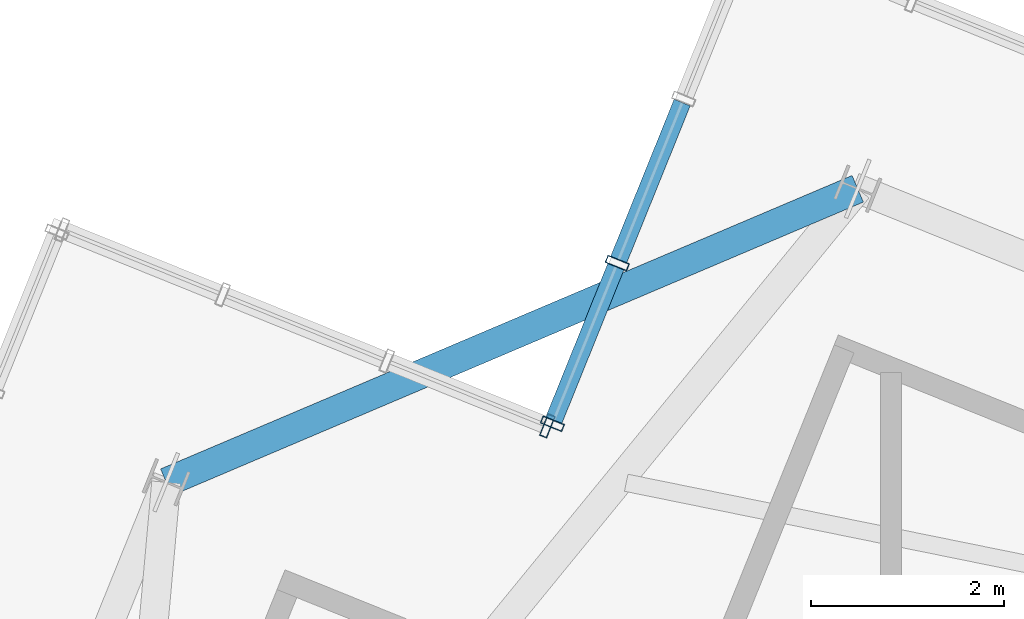
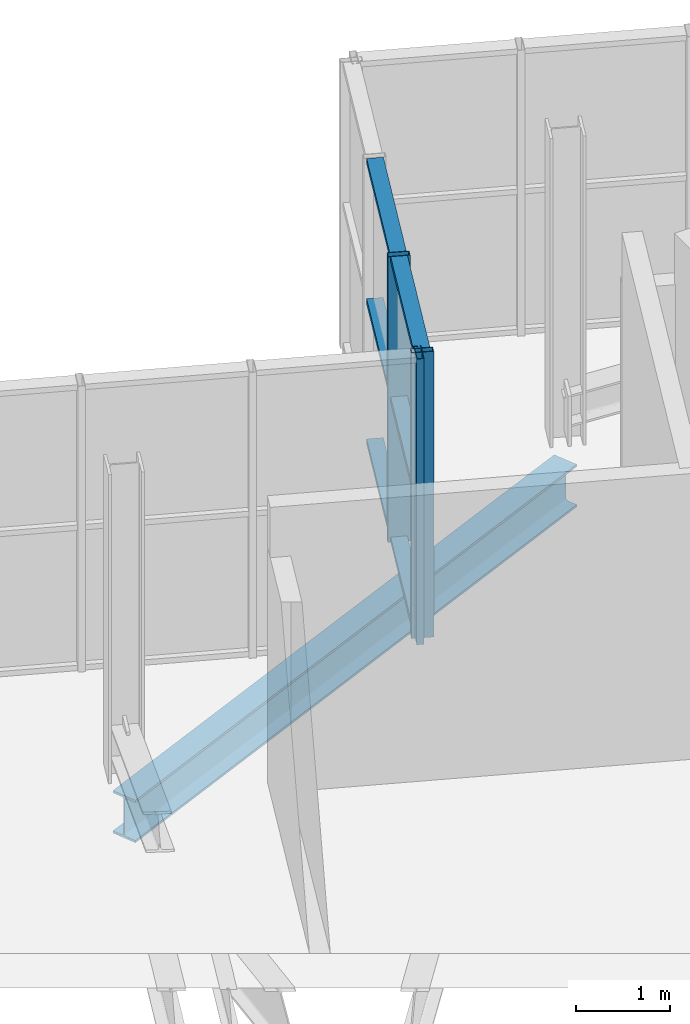
# One storey, part 14 of 26: 9 members, 1 beam, 2 elements without a shape of their own.
"""IFC4 building model written with IfcOpenShell, lengths in metres."""

from ifc_helpers import new_model, si_unit, direction, frame, origin, origin_2d, place, context, subcontext, project, spatial, hollow_rectangle, i_section, extrude, source, transform, mapped, material, layer, layer_set, material_profile, profile_set, type_object, element, aggregate, save


model = new_model("IFC4")

# Units and contexts
model_context = context("Model", 3, precision=1e-05, world=origin(), true_north=direction((0.0, 1.0)))
body_context = subcontext(model_context, "Body", "Model", "MODEL_VIEW")
ifc_project = project(units=[si_unit("LENGTHUNIT", "METRE"), si_unit("AREAUNIT", "SQUARE_METRE"), si_unit("VOLUMEUNIT", "CUBIC_METRE"), si_unit("PLANEANGLEUNIT", "RADIAN"), si_unit("MASSUNIT", "GRAM", prefix="KILO"), si_unit("THERMODYNAMICTEMPERATUREUNIT", "KELVIN")], contexts=[model_context])

# Site, building, storey
site_placement = place(None, origin())
site = spatial("IfcSite", under=ifc_project, at=site_placement, CompositionType="ELEMENT")
building_placement = place(site_placement, origin())
building = spatial("IfcBuilding", under=site, at=building_placement, Name="Kosmvard Interchange Tower", CompositionType="ELEMENT")
storey_placement = place(building_placement, frame((0.0, 0.0, 329.60009765625)))
storey = spatial("IfcBuildingStorey", under=building, at=storey_placement, Name="L81", CompositionType="ELEMENT", Elevation=329.60009765625)

# Beam
ifc_material_1 = material(Name="Steel S355", Category="steel")
ifc_material_profile_1 = material_profile(ifc_material_1, i_section(OverallWidth=0.300048828125, OverallDepth=0.550048828125, WebThickness=0.014892578125, FlangeThickness=0.029052734375, FilletRadius=0.027099609375, at=origin_2d()), Name="HEB 550")
ifc_profile_set_1 = profile_set([ifc_material_profile_1], Name="Steel S355")
beam_type = type_object("IfcBeamType", Name="Crown Ring Cap Girder HEB 550 S355", PredefinedType="BEAM", material=ifc_profile_set_1)
shared_shape_1 = source(origin(), body_context, "Body", "SweptSolid", [
    extrude(i_section(OverallWidth=0.300048828125, OverallDepth=0.550048828125, WebThickness=0.014892578125, FlangeThickness=0.029052734375, FilletRadius=0.027099609375, at=origin_2d()), origin(), (0.0, 0.0, 1.0), 7.778076171875),
])
beam_placement = place(storey_placement, frame((-5.34423828125, 22.54345703125, -0.5751953125), z_axis=(-0.92051132134, -0.39071589075, 0.0), x_axis=(0.39071589075, -0.92051132134, 0.0)))
element("IfcBeam", 1, at=beam_placement, inside=storey, type_object=beam_type, Name="BM-L81-PR06", PredefinedType="BEAM", context=body_context, shape_type="MappedRepresentation", body=[
    mapped(shared_shape_1, transform((0.0, 0.0, 0.0), scale=1.0)),
])

# Curtain wall, members
ifc_material_2 = material(Name="Architectural anodised aluminium", Category="aluminium")
ifc_layer = layer(ifc_material_2, 0.25, Name="Architectural anodised aluminium")
ifc_layer_set = layer_set([ifc_layer], Name="Architectural anodised aluminium")
curtain_wall_type = type_object("IfcCurtainWallType", Name="CW-6 Illuminated Crown Lantern Curtain Wall", PredefinedType="NOTDEFINED", material=ifc_layer_set)
curtain_wall_1_placement = place(storey_placement, origin())
curtain_wall_1 = element("IfcCurtainWall", 2, at=curtain_wall_1_placement, inside=storey, type_object=curtain_wall_type, Name="L81 Crown Lantern Glazing Face 05", PredefinedType="NOTDEFINED")
ifc_material_profile_2 = material_profile(ifc_material_2, hollow_rectangle(XDim=0.239990234375, YDim=0.080078125, WallThickness=0.006103515625, at=origin_2d()), Name="CWM 240x80x6")
ifc_profile_set_2 = profile_set([ifc_material_profile_2], Name="Architectural anodised aluminium")
member_type_1 = type_object("IfcMemberType", Name="Lantern & Observation CW Mullion 240x80 Aluminium", PredefinedType="MULLION", material=ifc_profile_set_2)
shared_shape_2 = source(origin(), body_context, "Body", "SweptSolid", [
    extrude(hollow_rectangle(XDim=0.239990234375, YDim=0.080078125, WallThickness=0.006103515625, at=origin_2d()), origin(), (0.0, 0.0, 1.0), 3.699951171875),
])
member_1_placement = place(storey_placement, frame((-7.833984375, 21.7734375, 0.0), z_axis=(0.0, 0.0, 1.0), x_axis=(0.92718386612, -0.374606564822, 0.0)))
member_1 = element("IfcMember", 3, at=member_1_placement, type_object=member_type_1, Name="CW-6 mullion 3", PredefinedType="MULLION", context=body_context, shape_type="MappedRepresentation", body=[
    mapped(shared_shape_2, transform((0.0, 0.0, 0.0), scale=1.0)),
])
member_2_placement = place(storey_placement, frame((-8.505859375, 20.110595703125, 0.0), z_axis=(0.0, 0.0, 1.0), x_axis=(0.92718386612, -0.374606564822, 0.0)))
member_2 = element("IfcMember", 4, at=member_2_placement, type_object=member_type_1, Name="CW-6 mullion 4", PredefinedType="MULLION", context=body_context, shape_type="MappedRepresentation", body=[
    mapped(shared_shape_2, transform((0.0, 0.0, 0.0), scale=1.0)),
])

# Curtain wall, member
curtain_wall_2_placement = place(storey_placement, origin())
curtain_wall_2 = element("IfcCurtainWall", 5, at=curtain_wall_2_placement, inside=storey, type_object=curtain_wall_type, Name="L81 Crown Lantern Glazing Face 06", PredefinedType="NOTDEFINED")
member_3_placement = place(storey_placement, frame((-8.557861328125, 20.088623046875, 0.0), z_axis=(0.0, 0.0, 1.0), x_axis=(-0.374606501678, -0.927183891631, 0.0)))
member_3 = element("IfcMember", 6, at=member_3_placement, type_object=member_type_1, Name="CW-6 mullion 1", PredefinedType="MULLION", context=body_context, shape_type="MappedRepresentation", body=[
    mapped(shared_shape_2, transform((0.0, 0.0, 0.0), scale=1.0)),
])
aggregate(curtain_wall_2, [member_3])

# Member
ifc_material_profile_3 = material_profile(ifc_material_2, hollow_rectangle(XDim=0.179931640625, YDim=0.070068359375, WallThickness=0.0048828125, at=origin_2d()), Name="CWT 180x70x5")
ifc_profile_set_3 = profile_set([ifc_material_profile_3], Name="Architectural anodised aluminium")
member_type_2 = type_object("IfcMemberType", Name="Heavy Lantern CW Transom 180x70 Aluminium", PredefinedType="USERDEFINED", material=ifc_profile_set_3)
shared_shape_3 = source(origin(), body_context, "Body", "SweptSolid", [
    extrude(hollow_rectangle(XDim=0.179931640625, YDim=0.070068359375, WallThickness=0.0048828125, at=origin_2d()), origin(), (0.0, 0.0, 1.0), 1.71337890625),
])
member_4_placement = place(storey_placement, frame((-7.848876953125, 21.736328125, 0.034912109375), z_axis=(-0.374606758599, -0.927183787829, 0.0), x_axis=(0.927183787829, -0.374606758599, 0.0)))
member_4 = element("IfcMember", 7, at=member_4_placement, type_object=member_type_2, Name="CW-6 transom 3.1", ObjectType="TRANSOM", PredefinedType="USERDEFINED", context=body_context, shape_type="MappedRepresentation", body=[
    mapped(shared_shape_3, transform((0.0, 0.0, 0.0), scale=1.0)),
])

member_5_placement = place(storey_placement, frame((-7.848876953125, 21.736328125, 1.849853515625), z_axis=(-0.374606758599, -0.927183787829, 0.0), x_axis=(0.927183787829, -0.374606758599, 0.0)))
member_5 = element("IfcMember", 8, at=member_5_placement, type_object=member_type_2, Name="CW-6 transom 3.2", ObjectType="TRANSOM", PredefinedType="USERDEFINED", context=body_context, shape_type="MappedRepresentation", body=[
    mapped(shared_shape_3, transform((0.0, 0.0, 0.0), scale=1.0)),
])

member_6_placement = place(storey_placement, frame((-7.848876953125, 21.736328125, 3.664794921875), z_axis=(-0.374606758599, -0.927183787829, 0.0), x_axis=(0.927183787829, -0.374606758599, 0.0)))
member_6 = element("IfcMember", 9, at=member_6_placement, type_object=member_type_2, Name="CW-6 transom 3.3", ObjectType="TRANSOM", PredefinedType="USERDEFINED", context=body_context, shape_type="MappedRepresentation", body=[
    mapped(shared_shape_3, transform((0.0, 0.0, 0.0), scale=1.0)),
])

shared_shape_4 = source(origin(), body_context, "Body", "SweptSolid", [
    extrude(hollow_rectangle(XDim=0.179931640625, YDim=0.070068359375, WallThickness=0.0048828125, at=origin_2d()), origin(), (0.0, 0.0, 1.0), 1.75341796875),
])
member_7_placement = place(storey_placement, frame((-7.162109375, 23.436279296875, 0.034912109375), z_axis=(-0.374677135907, -0.927155350429, 0.0), x_axis=(0.927155350429, -0.374677135907, 0.0)))
member_7 = element("IfcMember", 10, at=member_7_placement, type_object=member_type_2, Name="CW-6 transom 2.1", ObjectType="TRANSOM", PredefinedType="USERDEFINED", context=body_context, shape_type="MappedRepresentation", body=[
    mapped(shared_shape_4, transform((0.0, 0.0, 0.0), scale=1.0)),
])

member_8_placement = place(storey_placement, frame((-7.162109375, 23.436279296875, 1.849853515625), z_axis=(-0.374677135907, -0.927155350429, 0.0), x_axis=(0.927155350429, -0.374677135907, 0.0)))
member_8 = element("IfcMember", 11, at=member_8_placement, type_object=member_type_2, Name="CW-6 transom 2.2", ObjectType="TRANSOM", PredefinedType="USERDEFINED", context=body_context, shape_type="MappedRepresentation", body=[
    mapped(shared_shape_4, transform((0.0, 0.0, 0.0), scale=1.0)),
])

member_9_placement = place(storey_placement, frame((-7.162109375, 23.436279296875, 3.664794921875), z_axis=(-0.374677135907, -0.927155350429, 0.0), x_axis=(0.927155350429, -0.374677135907, 0.0)))
member_9 = element("IfcMember", 12, at=member_9_placement, type_object=member_type_2, Name="CW-6 transom 2.3", ObjectType="TRANSOM", PredefinedType="USERDEFINED", context=body_context, shape_type="MappedRepresentation", body=[
    mapped(shared_shape_4, transform((0.0, 0.0, 0.0), scale=1.0)),
])

aggregate(curtain_wall_1, [member_1, member_2, member_7, member_8, member_9, member_4, member_5, member_6])

save(model, "model.ifc")
